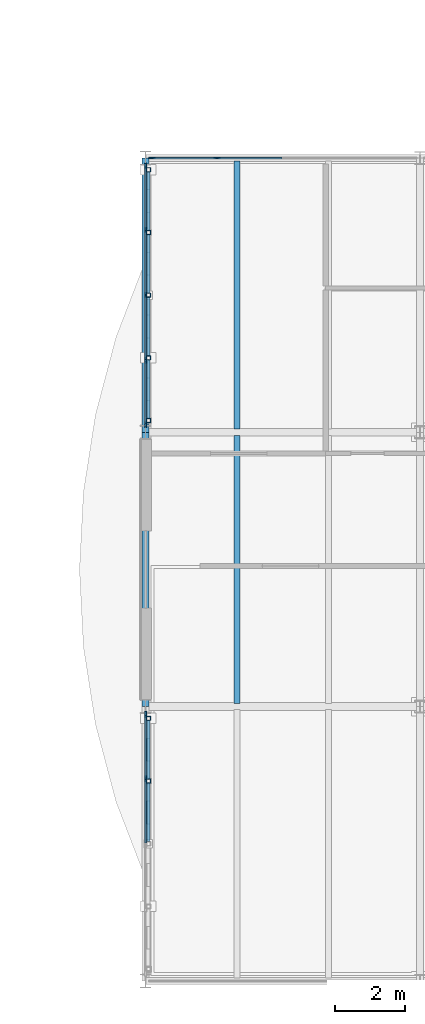
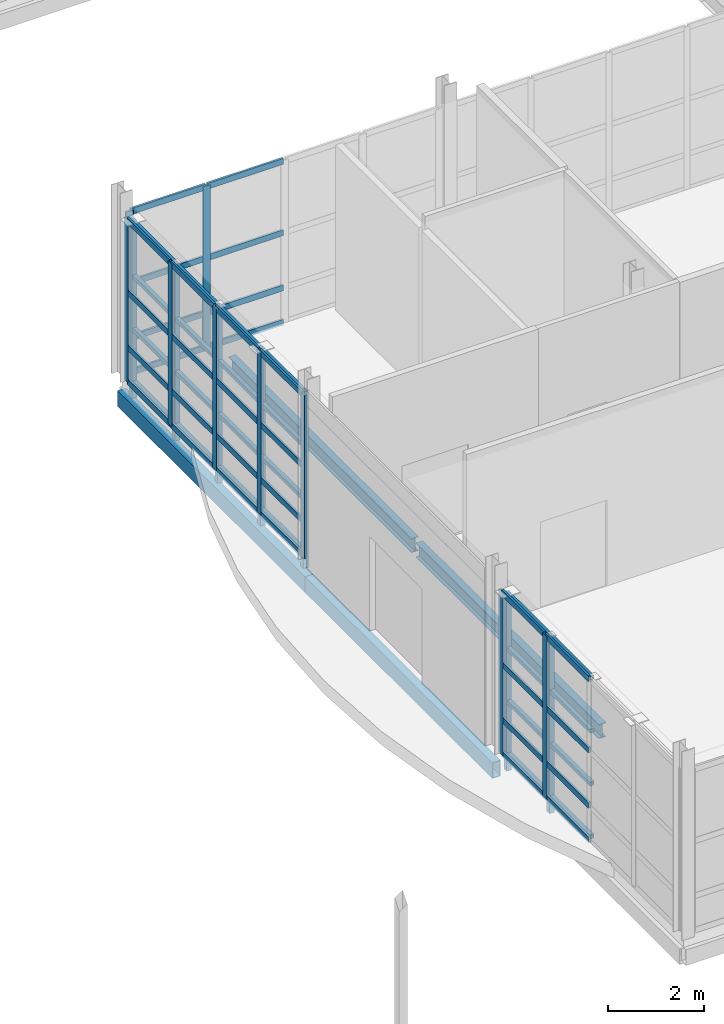
# One storey, part 52 of 131: 72 members, 4 beams, 3 elements without a shape of their own.
"""IFC4 building model written with IfcOpenShell, lengths in metres."""

from ifc_helpers import new_model, si_unit, direction, frame, origin, origin_2d, place, context, subcontext, project, spatial, rectangle, hollow_rectangle, i_section, extrude, material, layer, layer_set, material_profile, profile_set, type_object, element, aggregate, save


model = new_model("IFC4")

# Units and contexts
model_context = context("Model", 3, precision=1e-05, world=origin(), true_north=direction((0.0, 1.0)))
body_context = subcontext(model_context, "Body", "Model", "MODEL_VIEW")
ifc_project = project(units=[si_unit("LENGTHUNIT", "METRE"), si_unit("AREAUNIT", "SQUARE_METRE"), si_unit("VOLUMEUNIT", "CUBIC_METRE"), si_unit("PLANEANGLEUNIT", "RADIAN"), si_unit("MASSUNIT", "GRAM", prefix="KILO")], contexts=[model_context])

# Site, building, storey
site_placement = place(None, origin())
site = spatial("IfcSite", under=ifc_project, at=site_placement, CompositionType="ELEMENT")
building_placement = place(site_placement, origin())
building = spatial("IfcBuilding", under=site, at=building_placement, Name="Celorna Specialist Clinic", CompositionType="ELEMENT")
storey_placement = place(building_placement, origin())
storey = spatial("IfcBuildingStorey", under=building, at=storey_placement, Name="L00", CompositionType="ELEMENT", Elevation=0.0)

# Beams
ifc_material_1 = material(Name="Steel S355", Category="steel")
ifc_material_profile_1 = material_profile(ifc_material_1, i_section(OverallWidth=0.169921875, OverallDepth=0.360107421875, WebThickness=0.008056640625, FlangeThickness=0.0126953125, at=origin_2d()), Name="IPE 360")
ifc_profile_set_1 = profile_set([ifc_material_profile_1], Name="Steel S355")
beam_type_1 = type_object("IfcBeamType", Name="BM-11", PredefinedType="JOIST", material=ifc_profile_set_1)
for number, where, z_axis, x_axis, name in (
    (1, (127.39990234375, 67.887939453125, -0.52001953125), (0.0, 1.0, 0.0), (-1.0, 0.0, 0.0), "Secondary floor joist BM-11 #581"),
    (2, (127.39990234375, 75.68798828125, -0.52001953125), (0.0, 1.0, 0.0), (-1.0, 0.0, 0.0), "Secondary floor joist BM-11 #583"),
):
    element("IfcBeam", number, at=place(storey_placement, frame(where, z_axis=z_axis, x_axis=x_axis)), inside=storey, type_object=beam_type_1, Name=name, PredefinedType="JOIST", context=body_context, shape_type="SweptSolid", body=[
        extrude(i_section(OverallWidth=0.169921875, OverallDepth=0.360107421875, WebThickness=0.008056640625, FlangeThickness=0.0126953125, at=origin_2d()), origin(), (0.0, 0.0, 1.0), 7.6240234375),
    ])
ifc_material_profile_2 = material_profile(ifc_material_1, hollow_rectangle(XDim=0.199951171875, YDim=0.39990234375, WallThickness=0.011962890625, at=origin_2d()), Name="RHS 200x400x12")
ifc_profile_set_2 = profile_set([ifc_material_profile_2], Name="Steel S355")
beam_type_2 = type_object("IfcBeamType", Name="BM-15", PredefinedType="SPANDREL", material=ifc_profile_set_2)
beam_1_placement = place(storey_placement, frame((124.800048828125, 67.800048828125, -0.5400390625), z_axis=(0.0, 1.0, 0.0), x_axis=(-1.0, 0.0, 0.0)))
element("IfcBeam", 3, at=beam_1_placement, inside=storey, type_object=beam_type_2, Name="Spandrel beam BM-15 #559", PredefinedType="SPANDREL", context=body_context, shape_type="SweptSolid", body=[
    extrude(hollow_rectangle(XDim=0.199951171875, YDim=0.39990234375, WallThickness=0.011962890625, at=origin_2d()), origin(), (0.0, 0.0, 1.0), 7.800048828125),
])
beam_2_placement = place(storey_placement, frame((124.800048828125, 75.60009765625, -0.5400390625), z_axis=(0.0, 1.0, 0.0), x_axis=(-1.0, 0.0, 0.0)))
element("IfcBeam", 4, at=beam_2_placement, inside=storey, type_object=beam_type_2, Name="Spandrel beam BM-15 #560", PredefinedType="SPANDREL", context=body_context, shape_type="SweptSolid", body=[
    extrude(hollow_rectangle(XDim=0.199951171875, YDim=0.39990234375, WallThickness=0.011962890625, at=origin_2d()), origin(), (0.0, 0.0, 1.0), 7.7998046875),
])

# Members
ifc_material_profile_3 = material_profile(ifc_material_1, hollow_rectangle(XDim=0.1201171875, YDim=0.1201171875, WallThickness=0.008056640625, at=origin_2d()), Name="SHS 120x120x8")
ifc_profile_set_3 = profile_set([ifc_material_profile_3], Name="Steel S355")
member_type_1 = type_object("IfcMemberType", Name="MB-11", PredefinedType="STUD", material=ifc_profile_set_3)
for number, where, z_axis, x_axis, name in (
    (5, (124.8798828125, 65.6826171875, -0.360107421875), (0.0, 0.0, 1.0), (1.0, 0.0, 0.0), "Perforated screen steel post #1860"),
    (6, (124.8798828125, 67.465087890625, -0.360107421875), (0.0, 0.0, 1.0), (1.0, 0.0, 0.0), "Perforated screen steel post #1861"),
    (7, (124.8798828125, 75.93505859375, -0.360107421875), (0.0, 0.0, 1.0), (1.0, 0.0, 0.0), "Perforated screen steel post #1878"),
    (8, (124.8798828125, 77.717529296875, -0.360107421875), (0.0, 0.0, 1.0), (1.0, 0.0, 0.0), "Perforated screen steel post #1879"),
    (9, (124.8798828125, 79.5, -0.360107421875), (0.0, 0.0, 1.0), (1.0, 0.0, 0.0), "Perforated screen steel post #1880"),
    (10, (124.8798828125, 81.282470703125, -0.360107421875), (0.0, 0.0, 1.0), (1.0, 0.0, 0.0), "Perforated screen steel post #1881"),
    (11, (124.8798828125, 83.06494140625, -0.360107421875), (0.0, 0.0, 1.0), (1.0, 0.0, 0.0), "Perforated screen steel post #1882"),
):
    element("IfcMember", number, at=place(storey_placement, frame(where, z_axis=z_axis, x_axis=x_axis)), inside=storey, type_object=member_type_1, Name=name, PredefinedType="STUD", context=body_context, shape_type="SweptSolid", body=[
        extrude(hollow_rectangle(XDim=0.1201171875, YDim=0.1201171875, WallThickness=0.008056640625, at=origin_2d()), origin(), (0.0, 0.0, 1.0), 4.5),
    ])
ifc_material_profile_4 = material_profile(ifc_material_1, hollow_rectangle(XDim=0.10009765625, YDim=0.10009765625, WallThickness=0.006103515625, at=origin_2d()), Name="SHS 100x100x6")
ifc_profile_set_4 = profile_set([ifc_material_profile_4], Name="Steel S355")
member_type_2 = type_object("IfcMemberType", Name="MB-12", PredefinedType="STUD", material=ifc_profile_set_4)
for number, where, z_axis, x_axis, name in (
    (12, (124.8798828125, 63.9599609375, 0.050048828125), (0.0, 1.0, 0.0), (-1.0, 0.0, 0.0), "Perforated screen rail #1870"),
    (13, (124.8798828125, 63.9599609375, 1.396728515625), (0.0, 1.0, 0.0), (-1.0, 0.0, 0.0), "Perforated screen rail #1871"),
    (14, (124.8798828125, 63.9599609375, 2.743408203125), (0.0, 1.0, 0.0), (-1.0, 0.0, 0.0), "Perforated screen rail #1872"),
    (15, (124.8798828125, 63.9599609375, 4.090087890625), (0.0, 1.0, 0.0), (-1.0, 0.0, 0.0), "Perforated screen rail #1873"),
    (16, (124.8798828125, 65.742431640625, 0.050048828125), (0.0, 1.0, 0.0), (-1.0, 0.0, 0.0), "Perforated screen rail #1874"),
    (17, (124.8798828125, 65.742431640625, 1.396728515625), (0.0, 1.0, 0.0), (-1.0, 0.0, 0.0), "Perforated screen rail #1875"),
    (18, (124.8798828125, 65.742431640625, 2.743408203125), (0.0, 1.0, 0.0), (-1.0, 0.0, 0.0), "Perforated screen rail #1876"),
    (19, (124.8798828125, 65.742431640625, 4.090087890625), (0.0, 1.0, 0.0), (-1.0, 0.0, 0.0), "Perforated screen rail #1877"),
):
    element("IfcMember", number, at=place(storey_placement, frame(where, z_axis=z_axis, x_axis=x_axis)), inside=storey, type_object=member_type_2, Name=name, PredefinedType="STUD", context=body_context, shape_type="SweptSolid", body=[
        extrude(hollow_rectangle(XDim=0.10009765625, YDim=0.10009765625, WallThickness=0.006103515625, at=origin_2d()), origin(), (0.0, 0.0, 1.0), 1.66259765625),
    ])
for number, where, z_axis, x_axis, name in (
    (20, (124.8798828125, 75.9951171875, 0.050048828125), (0.0, 1.0, 0.0), (-1.0, 0.0, 0.0), "Perforated screen rail #1883"),
    (21, (124.8798828125, 75.9951171875, 1.396728515625), (0.0, 1.0, 0.0), (-1.0, 0.0, 0.0), "Perforated screen rail #1884"),
    (22, (124.8798828125, 75.9951171875, 2.743408203125), (0.0, 1.0, 0.0), (-1.0, 0.0, 0.0), "Perforated screen rail #1885"),
    (23, (124.8798828125, 75.9951171875, 4.090087890625), (0.0, 1.0, 0.0), (-1.0, 0.0, 0.0), "Perforated screen rail #1886"),
    (24, (124.8798828125, 77.777587890625, 0.050048828125), (0.0, 1.0, 0.0), (-1.0, 0.0, 0.0), "Perforated screen rail #1887"),
    (25, (124.8798828125, 77.777587890625, 1.396728515625), (0.0, 1.0, 0.0), (-1.0, 0.0, 0.0), "Perforated screen rail #1888"),
    (26, (124.8798828125, 77.777587890625, 2.743408203125), (0.0, 1.0, 0.0), (-1.0, 0.0, 0.0), "Perforated screen rail #1889"),
    (27, (124.8798828125, 77.777587890625, 4.090087890625), (0.0, 1.0, 0.0), (-1.0, 0.0, 0.0), "Perforated screen rail #1890"),
    (28, (124.8798828125, 79.56005859375, 0.050048828125), (0.0, 1.0, 0.0), (-1.0, 0.0, 0.0), "Perforated screen rail #1891"),
    (29, (124.8798828125, 79.56005859375, 1.396728515625), (0.0, 1.0, 0.0), (-1.0, 0.0, 0.0), "Perforated screen rail #1892"),
    (30, (124.8798828125, 79.56005859375, 2.743408203125), (0.0, 1.0, 0.0), (-1.0, 0.0, 0.0), "Perforated screen rail #1893"),
    (31, (124.8798828125, 79.56005859375, 4.090087890625), (0.0, 1.0, 0.0), (-1.0, 0.0, 0.0), "Perforated screen rail #1894"),
    (32, (124.8798828125, 81.342529296875, 0.050048828125), (0.0, 1.0, 0.0), (-1.0, 0.0, 0.0), "Perforated screen rail #1895"),
    (33, (124.8798828125, 81.342529296875, 1.396728515625), (0.0, 1.0, 0.0), (-1.0, 0.0, 0.0), "Perforated screen rail #1896"),
    (34, (124.8798828125, 81.342529296875, 2.743408203125), (0.0, 1.0, 0.0), (-1.0, 0.0, 0.0), "Perforated screen rail #1897"),
    (35, (124.8798828125, 81.342529296875, 4.090087890625), (0.0, 1.0, 0.0), (-1.0, 0.0, 0.0), "Perforated screen rail #1898"),
):
    element("IfcMember", number, at=place(storey_placement, frame(where, z_axis=z_axis, x_axis=x_axis)), inside=storey, type_object=member_type_2, Name=name, PredefinedType="STUD", context=body_context, shape_type="SweptSolid", body=[
        extrude(hollow_rectangle(XDim=0.10009765625, YDim=0.10009765625, WallThickness=0.006103515625, at=origin_2d()), origin(), (0.0, 0.0, 1.0), 1.662353515625),
    ])

# Curtain wall, members
ifc_material_2 = material(Name="Thermally broken aluminium and solar-control glass curtain wall", Category="aluminium")
ifc_layer_1 = layer(ifc_material_2, 0.159912109375, Name="Thermally broken aluminium and solar-control glass curtain wall")
ifc_layer_set_1 = layer_set([ifc_layer_1], Name="Thermally broken aluminium and solar-control glass curtain wall")
curtain_wall_type_1 = type_object("IfcCurtainWallType", Name="CW-39", PredefinedType="NOTDEFINED", material=ifc_layer_set_1)
curtain_wall_1_placement = place(storey_placement, origin())
curtain_wall_1 = element("IfcCurtainWall", 36, at=curtain_wall_1_placement, inside=storey, type_object=curtain_wall_type_1, Name="Curtain wall CW-39 #74", PredefinedType="NOTDEFINED")
ifc_material_3 = material(Name="Anodized aluminium mullion", Category="aluminium")
ifc_material_profile_5 = material_profile(ifc_material_3, rectangle(XDim=0.050048828125, YDim=0.159912109375, at=origin_2d()), Name="ALU MULLION 50x160")
ifc_profile_set_5 = profile_set([ifc_material_profile_5], Name="Anodized aluminium mullion")
member_type_3 = type_object("IfcMemberType", Name="ML-01", PredefinedType="MULLION", material=ifc_profile_set_5)
member_1_placement = place(storey_placement, frame((124.800048828125, 75.823974609375, 0.0), z_axis=(0.0, 0.0, 1.0), x_axis=(-1.0, 0.0, 0.0)))
member_1 = element("IfcMember", 37, at=member_1_placement, type_object=member_type_3, Name="CW-39 mullion 1", PredefinedType="MULLION", context=body_context, shape_type="SweptSolid", body=[
    extrude(rectangle(XDim=0.050048828125, YDim=0.159912109375, at=origin_2d()), origin(), (0.0, 0.0, 1.0), 4.139892578125),
])
member_2_placement = place(storey_placement, frame((124.800048828125, 77.6494140625, 0.0), z_axis=(0.0, 0.0, 1.0), x_axis=(-1.0, 0.0, 0.0)))
member_2 = element("IfcMember", 38, at=member_2_placement, type_object=member_type_3, Name="CW-39 mullion 2", PredefinedType="MULLION", context=body_context, shape_type="SweptSolid", body=[
    extrude(rectangle(XDim=0.050048828125, YDim=0.159912109375, at=origin_2d()), origin(), (0.0, 0.0, 1.0), 4.139892578125),
])
member_3_placement = place(storey_placement, frame((124.800048828125, 79.5, 0.0), z_axis=(0.0, 0.0, 1.0), x_axis=(-1.0, 0.0, 0.0)))
member_3 = element("IfcMember", 39, at=member_3_placement, type_object=member_type_3, Name="CW-39 mullion 3", PredefinedType="MULLION", context=body_context, shape_type="SweptSolid", body=[
    extrude(rectangle(XDim=0.050048828125, YDim=0.159912109375, at=origin_2d()), origin(), (0.0, 0.0, 1.0), 4.139892578125),
])
member_4_placement = place(storey_placement, frame((124.800048828125, 81.3505859375, 0.0), z_axis=(0.0, 0.0, 1.0), x_axis=(-1.0, 0.0, 0.0)))
member_4 = element("IfcMember", 40, at=member_4_placement, type_object=member_type_3, Name="CW-39 mullion 4", PredefinedType="MULLION", context=body_context, shape_type="SweptSolid", body=[
    extrude(rectangle(XDim=0.050048828125, YDim=0.159912109375, at=origin_2d()), origin(), (0.0, 0.0, 1.0), 4.139892578125),
])
member_5_placement = place(storey_placement, frame((124.800048828125, 83.176025390625, 0.0), z_axis=(0.0, 0.0, 1.0), x_axis=(-1.0, 0.0, 0.0)))
member_5 = element("IfcMember", 41, at=member_5_placement, type_object=member_type_3, Name="CW-39 mullion 5", PredefinedType="MULLION", context=body_context, shape_type="SweptSolid", body=[
    extrude(rectangle(XDim=0.050048828125, YDim=0.159912109375, at=origin_2d()), origin(), (0.0, 0.0, 1.0), 4.139892578125),
])

ifc_layer_2 = layer(ifc_material_2, 0.159912109375, Name="Thermally broken aluminium and solar-control glass curtain wall")
ifc_layer_set_2 = layer_set([ifc_layer_2], Name="Thermally broken aluminium and solar-control glass curtain wall")
curtain_wall_type_2 = type_object("IfcCurtainWallType", Name="CW-34", PredefinedType="NOTDEFINED", material=ifc_layer_set_2)
curtain_wall_2_placement = place(storey_placement, origin())
curtain_wall_2 = element("IfcCurtainWall", 42, at=curtain_wall_2_placement, inside=storey, type_object=curtain_wall_type_2, Name="Curtain wall CW-34 #69", PredefinedType="NOTDEFINED")
ifc_material_profile_6 = material_profile(ifc_material_3, rectangle(XDim=0.050048828125, YDim=0.179931640625, at=origin_2d()), Name="ALU MULLION 50x180")
ifc_profile_set_6 = profile_set([ifc_material_profile_6], Name="Anodized aluminium mullion")
member_type_4 = type_object("IfcMemberType", Name="ML-02", PredefinedType="MULLION", material=ifc_profile_set_6)
member_6_placement = place(storey_placement, frame((124.97900390625, 83.39990234375, 0.0), z_axis=(0.0, 0.0, 1.0), x_axis=(0.0, 1.0, 0.0)))
member_6 = element("IfcMember", 43, at=member_6_placement, type_object=member_type_4, Name="CW-34 mullion 1", PredefinedType="MULLION", context=body_context, shape_type="SweptSolid", body=[
    extrude(rectangle(XDim=0.050048828125, YDim=0.179931640625, at=origin_2d()), origin(), (0.0, 0.0, 1.0), 4.139892578125),
])
member_7_placement = place(storey_placement, frame((126.826904296875, 83.39990234375, 0.0), z_axis=(0.0, 0.0, 1.0), x_axis=(0.0, 1.0, 0.0)))
member_7 = element("IfcMember", 44, at=member_7_placement, type_object=member_type_4, Name="CW-34 mullion 2", PredefinedType="MULLION", context=body_context, shape_type="SweptSolid", body=[
    extrude(rectangle(XDim=0.050048828125, YDim=0.179931640625, at=origin_2d()), origin(), (0.0, 0.0, 1.0), 4.139892578125),
])

ifc_layer_3 = layer(ifc_material_2, 0.159912109375, Name="Thermally broken aluminium and solar-control glass curtain wall")
ifc_layer_set_3 = layer_set([ifc_layer_3], Name="Thermally broken aluminium and solar-control glass curtain wall")
curtain_wall_type_3 = type_object("IfcCurtainWallType", Name="CW-38", PredefinedType="NOTDEFINED", material=ifc_layer_set_3)
curtain_wall_3_placement = place(storey_placement, origin())
curtain_wall_3 = element("IfcCurtainWall", 45, at=curtain_wall_3_placement, inside=storey, type_object=curtain_wall_type_3, Name="Curtain wall CW-38 #73", PredefinedType="NOTDEFINED")
member_8_placement = place(storey_placement, frame((124.800048828125, 65.75048828125, 0.0), z_axis=(0.0, 0.0, 1.0), x_axis=(-1.0, 0.0, 0.0)))
member_8 = element("IfcMember", 46, at=member_8_placement, type_object=member_type_4, Name="CW-38 mullion 4", PredefinedType="MULLION", context=body_context, shape_type="SweptSolid", body=[
    extrude(rectangle(XDim=0.050048828125, YDim=0.179931640625, at=origin_2d()), origin(), (0.0, 0.0, 1.0), 4.139892578125),
])
member_9_placement = place(storey_placement, frame((124.800048828125, 67.575927734375, 0.0), z_axis=(0.0, 0.0, 1.0), x_axis=(-1.0, 0.0, 0.0)))
member_9 = element("IfcMember", 47, at=member_9_placement, type_object=member_type_4, Name="CW-38 mullion 5", PredefinedType="MULLION", context=body_context, shape_type="SweptSolid", body=[
    extrude(rectangle(XDim=0.050048828125, YDim=0.179931640625, at=origin_2d()), origin(), (0.0, 0.0, 1.0), 4.139892578125),
])

# Member
ifc_material_4 = material(Name="Anodized aluminium transom", Category="aluminium")
ifc_material_profile_7 = material_profile(ifc_material_4, rectangle(XDim=0.050048828125, YDim=0.14990234375, at=origin_2d()), Name="ALU TRANSOM 50x150")
ifc_profile_set_7 = profile_set([ifc_material_profile_7], Name="Anodized aluminium transom")
member_type_5 = type_object("IfcMemberType", Name="TR-02", PredefinedType="USERDEFINED", material=ifc_profile_set_7)
member_10_placement = place(storey_placement, frame((125.00390625, 83.39990234375, 0.02490234375), z_axis=(1.0, 0.0, 0.0), x_axis=(0.0, 1.0, 0.0)))
member_10 = element("IfcMember", 48, at=member_10_placement, type_object=member_type_5, Name="CW-34 transom 1.1", ObjectType="TRANSOM", PredefinedType="USERDEFINED", context=body_context, shape_type="SweptSolid", body=[
    extrude(rectangle(XDim=0.050048828125, YDim=0.14990234375, at=origin_2d()), origin(), (0.0, 0.0, 1.0), 1.798095703125),
])

member_11_placement = place(storey_placement, frame((125.00390625, 83.39990234375, 0.89990234375), z_axis=(1.0, 0.0, 0.0), x_axis=(0.0, 1.0, 0.0)))
member_11 = element("IfcMember", 49, at=member_11_placement, type_object=member_type_5, Name="CW-34 transom 1.2", ObjectType="TRANSOM", PredefinedType="USERDEFINED", context=body_context, shape_type="SweptSolid", body=[
    extrude(rectangle(XDim=0.050048828125, YDim=0.14990234375, at=origin_2d()), origin(), (0.0, 0.0, 1.0), 1.798095703125),
])

member_12_placement = place(storey_placement, frame((125.00390625, 83.39990234375, 2.300048828125), z_axis=(1.0, 0.0, 0.0), x_axis=(0.0, 1.0, 0.0)))
member_12 = element("IfcMember", 50, at=member_12_placement, type_object=member_type_5, Name="CW-34 transom 1.3", ObjectType="TRANSOM", PredefinedType="USERDEFINED", context=body_context, shape_type="SweptSolid", body=[
    extrude(rectangle(XDim=0.050048828125, YDim=0.14990234375, at=origin_2d()), origin(), (0.0, 0.0, 1.0), 1.798095703125),
])

member_13_placement = place(storey_placement, frame((125.00390625, 83.39990234375, 4.114990234375), z_axis=(1.0, 0.0, 0.0), x_axis=(0.0, 1.0, 0.0)))
member_13 = element("IfcMember", 51, at=member_13_placement, type_object=member_type_5, Name="CW-34 transom 1.4", ObjectType="TRANSOM", PredefinedType="USERDEFINED", context=body_context, shape_type="SweptSolid", body=[
    extrude(rectangle(XDim=0.050048828125, YDim=0.14990234375, at=origin_2d()), origin(), (0.0, 0.0, 1.0), 1.798095703125),
])

member_14_placement = place(storey_placement, frame((126.85205078125, 83.39990234375, 0.02490234375), z_axis=(1.0, 0.0, 0.0), x_axis=(0.0, 1.0, 0.0)))
member_14 = element("IfcMember", 52, at=member_14_placement, type_object=member_type_5, Name="CW-34 transom 2.1", ObjectType="TRANSOM", PredefinedType="USERDEFINED", context=body_context, shape_type="SweptSolid", body=[
    extrude(rectangle(XDim=0.050048828125, YDim=0.14990234375, at=origin_2d()), origin(), (0.0, 0.0, 1.0), 1.822998046875),
])

member_15_placement = place(storey_placement, frame((126.85205078125, 83.39990234375, 0.89990234375), z_axis=(1.0, 0.0, 0.0), x_axis=(0.0, 1.0, 0.0)))
member_15 = element("IfcMember", 53, at=member_15_placement, type_object=member_type_5, Name="CW-34 transom 2.2", ObjectType="TRANSOM", PredefinedType="USERDEFINED", context=body_context, shape_type="SweptSolid", body=[
    extrude(rectangle(XDim=0.050048828125, YDim=0.14990234375, at=origin_2d()), origin(), (0.0, 0.0, 1.0), 1.822998046875),
])

member_16_placement = place(storey_placement, frame((126.85205078125, 83.39990234375, 2.300048828125), z_axis=(1.0, 0.0, 0.0), x_axis=(0.0, 1.0, 0.0)))
member_16 = element("IfcMember", 54, at=member_16_placement, type_object=member_type_5, Name="CW-34 transom 2.3", ObjectType="TRANSOM", PredefinedType="USERDEFINED", context=body_context, shape_type="SweptSolid", body=[
    extrude(rectangle(XDim=0.050048828125, YDim=0.14990234375, at=origin_2d()), origin(), (0.0, 0.0, 1.0), 1.822998046875),
])

member_17_placement = place(storey_placement, frame((126.85205078125, 83.39990234375, 4.114990234375), z_axis=(1.0, 0.0, 0.0), x_axis=(0.0, 1.0, 0.0)))
member_17 = element("IfcMember", 55, at=member_17_placement, type_object=member_type_5, Name="CW-34 transom 2.4", ObjectType="TRANSOM", PredefinedType="USERDEFINED", context=body_context, shape_type="SweptSolid", body=[
    extrude(rectangle(XDim=0.050048828125, YDim=0.14990234375, at=origin_2d()), origin(), (0.0, 0.0, 1.0), 1.822998046875),
])

aggregate(curtain_wall_2, [member_6, member_7, member_10, member_11, member_12, member_13, member_14, member_15, member_16, member_17])

member_18_placement = place(storey_placement, frame((124.800048828125, 63.925048828125, 0.02490234375), z_axis=(0.0, 1.0, 0.0), x_axis=(-1.0, 0.0, 0.0)))
member_18 = element("IfcMember", 56, at=member_18_placement, type_object=member_type_5, Name="CW-38 transom 3.1", ObjectType="TRANSOM", PredefinedType="USERDEFINED", context=body_context, shape_type="SweptSolid", body=[
    extrude(rectangle(XDim=0.050048828125, YDim=0.14990234375, at=origin_2d()), origin(), (0.0, 0.0, 1.0), 1.800537109375),
])

member_19_placement = place(storey_placement, frame((124.800048828125, 63.925048828125, 0.89990234375), z_axis=(0.0, 1.0, 0.0), x_axis=(-1.0, 0.0, 0.0)))
member_19 = element("IfcMember", 57, at=member_19_placement, type_object=member_type_5, Name="CW-38 transom 3.2", ObjectType="TRANSOM", PredefinedType="USERDEFINED", context=body_context, shape_type="SweptSolid", body=[
    extrude(rectangle(XDim=0.050048828125, YDim=0.14990234375, at=origin_2d()), origin(), (0.0, 0.0, 1.0), 1.800537109375),
])

member_20_placement = place(storey_placement, frame((124.800048828125, 63.925048828125, 2.300048828125), z_axis=(0.0, 1.0, 0.0), x_axis=(-1.0, 0.0, 0.0)))
member_20 = element("IfcMember", 58, at=member_20_placement, type_object=member_type_5, Name="CW-38 transom 3.3", ObjectType="TRANSOM", PredefinedType="USERDEFINED", context=body_context, shape_type="SweptSolid", body=[
    extrude(rectangle(XDim=0.050048828125, YDim=0.14990234375, at=origin_2d()), origin(), (0.0, 0.0, 1.0), 1.800537109375),
])

member_21_placement = place(storey_placement, frame((124.800048828125, 63.925048828125, 4.114990234375), z_axis=(0.0, 1.0, 0.0), x_axis=(-1.0, 0.0, 0.0)))
member_21 = element("IfcMember", 59, at=member_21_placement, type_object=member_type_5, Name="CW-38 transom 3.4", ObjectType="TRANSOM", PredefinedType="USERDEFINED", context=body_context, shape_type="SweptSolid", body=[
    extrude(rectangle(XDim=0.050048828125, YDim=0.14990234375, at=origin_2d()), origin(), (0.0, 0.0, 1.0), 1.800537109375),
])

member_22_placement = place(storey_placement, frame((124.800048828125, 65.775390625, 0.02490234375), z_axis=(0.0, 1.0, 0.0), x_axis=(-1.0, 0.0, 0.0)))
member_22 = element("IfcMember", 60, at=member_22_placement, type_object=member_type_5, Name="CW-38 transom 4.1", ObjectType="TRANSOM", PredefinedType="USERDEFINED", context=body_context, shape_type="SweptSolid", body=[
    extrude(rectangle(XDim=0.050048828125, YDim=0.14990234375, at=origin_2d()), origin(), (0.0, 0.0, 1.0), 1.775634765625),
])

member_23_placement = place(storey_placement, frame((124.800048828125, 65.775390625, 0.89990234375), z_axis=(0.0, 1.0, 0.0), x_axis=(-1.0, 0.0, 0.0)))
member_23 = element("IfcMember", 61, at=member_23_placement, type_object=member_type_5, Name="CW-38 transom 4.2", ObjectType="TRANSOM", PredefinedType="USERDEFINED", context=body_context, shape_type="SweptSolid", body=[
    extrude(rectangle(XDim=0.050048828125, YDim=0.14990234375, at=origin_2d()), origin(), (0.0, 0.0, 1.0), 1.775634765625),
])

member_24_placement = place(storey_placement, frame((124.800048828125, 65.775390625, 2.300048828125), z_axis=(0.0, 1.0, 0.0), x_axis=(-1.0, 0.0, 0.0)))
member_24 = element("IfcMember", 62, at=member_24_placement, type_object=member_type_5, Name="CW-38 transom 4.3", ObjectType="TRANSOM", PredefinedType="USERDEFINED", context=body_context, shape_type="SweptSolid", body=[
    extrude(rectangle(XDim=0.050048828125, YDim=0.14990234375, at=origin_2d()), origin(), (0.0, 0.0, 1.0), 1.775634765625),
])

member_25_placement = place(storey_placement, frame((124.800048828125, 65.775390625, 4.114990234375), z_axis=(0.0, 1.0, 0.0), x_axis=(-1.0, 0.0, 0.0)))
member_25 = element("IfcMember", 63, at=member_25_placement, type_object=member_type_5, Name="CW-38 transom 4.4", ObjectType="TRANSOM", PredefinedType="USERDEFINED", context=body_context, shape_type="SweptSolid", body=[
    extrude(rectangle(XDim=0.050048828125, YDim=0.14990234375, at=origin_2d()), origin(), (0.0, 0.0, 1.0), 1.775634765625),
])

aggregate(curtain_wall_3, [member_8, member_9, member_18, member_19, member_20, member_21, member_22, member_23, member_24, member_25])

member_26_placement = place(storey_placement, frame((124.800048828125, 75.84912109375, 0.02490234375), z_axis=(0.0, 1.0, 0.0), x_axis=(-1.0, 0.0, 0.0)))
member_26 = element("IfcMember", 64, at=member_26_placement, type_object=member_type_5, Name="CW-39 transom 1.1", ObjectType="TRANSOM", PredefinedType="USERDEFINED", context=body_context, shape_type="SweptSolid", body=[
    extrude(rectangle(XDim=0.050048828125, YDim=0.14990234375, at=origin_2d()), origin(), (0.0, 0.0, 1.0), 1.775390625),
])

member_27_placement = place(storey_placement, frame((124.800048828125, 75.84912109375, 0.89990234375), z_axis=(0.0, 1.0, 0.0), x_axis=(-1.0, 0.0, 0.0)))
member_27 = element("IfcMember", 65, at=member_27_placement, type_object=member_type_5, Name="CW-39 transom 1.2", ObjectType="TRANSOM", PredefinedType="USERDEFINED", context=body_context, shape_type="SweptSolid", body=[
    extrude(rectangle(XDim=0.050048828125, YDim=0.14990234375, at=origin_2d()), origin(), (0.0, 0.0, 1.0), 1.775390625),
])

member_28_placement = place(storey_placement, frame((124.800048828125, 75.84912109375, 2.300048828125), z_axis=(0.0, 1.0, 0.0), x_axis=(-1.0, 0.0, 0.0)))
member_28 = element("IfcMember", 66, at=member_28_placement, type_object=member_type_5, Name="CW-39 transom 1.3", ObjectType="TRANSOM", PredefinedType="USERDEFINED", context=body_context, shape_type="SweptSolid", body=[
    extrude(rectangle(XDim=0.050048828125, YDim=0.14990234375, at=origin_2d()), origin(), (0.0, 0.0, 1.0), 1.775390625),
])

member_29_placement = place(storey_placement, frame((124.800048828125, 75.84912109375, 4.114990234375), z_axis=(0.0, 1.0, 0.0), x_axis=(-1.0, 0.0, 0.0)))
member_29 = element("IfcMember", 67, at=member_29_placement, type_object=member_type_5, Name="CW-39 transom 1.4", ObjectType="TRANSOM", PredefinedType="USERDEFINED", context=body_context, shape_type="SweptSolid", body=[
    extrude(rectangle(XDim=0.050048828125, YDim=0.14990234375, at=origin_2d()), origin(), (0.0, 0.0, 1.0), 1.775390625),
])

member_30_placement = place(storey_placement, frame((124.800048828125, 77.674560546875, 0.02490234375), z_axis=(0.0, 1.0, 0.0), x_axis=(-1.0, 0.0, 0.0)))
member_30 = element("IfcMember", 68, at=member_30_placement, type_object=member_type_5, Name="CW-39 transom 2.1", ObjectType="TRANSOM", PredefinedType="USERDEFINED", context=body_context, shape_type="SweptSolid", body=[
    extrude(rectangle(XDim=0.050048828125, YDim=0.14990234375, at=origin_2d()), origin(), (0.0, 0.0, 1.0), 1.800537109375),
])

member_31_placement = place(storey_placement, frame((124.800048828125, 77.674560546875, 0.89990234375), z_axis=(0.0, 1.0, 0.0), x_axis=(-1.0, 0.0, 0.0)))
member_31 = element("IfcMember", 69, at=member_31_placement, type_object=member_type_5, Name="CW-39 transom 2.2", ObjectType="TRANSOM", PredefinedType="USERDEFINED", context=body_context, shape_type="SweptSolid", body=[
    extrude(rectangle(XDim=0.050048828125, YDim=0.14990234375, at=origin_2d()), origin(), (0.0, 0.0, 1.0), 1.800537109375),
])

member_32_placement = place(storey_placement, frame((124.800048828125, 77.674560546875, 2.300048828125), z_axis=(0.0, 1.0, 0.0), x_axis=(-1.0, 0.0, 0.0)))
member_32 = element("IfcMember", 70, at=member_32_placement, type_object=member_type_5, Name="CW-39 transom 2.3", ObjectType="TRANSOM", PredefinedType="USERDEFINED", context=body_context, shape_type="SweptSolid", body=[
    extrude(rectangle(XDim=0.050048828125, YDim=0.14990234375, at=origin_2d()), origin(), (0.0, 0.0, 1.0), 1.800537109375),
])

member_33_placement = place(storey_placement, frame((124.800048828125, 77.674560546875, 4.114990234375), z_axis=(0.0, 1.0, 0.0), x_axis=(-1.0, 0.0, 0.0)))
member_33 = element("IfcMember", 71, at=member_33_placement, type_object=member_type_5, Name="CW-39 transom 2.4", ObjectType="TRANSOM", PredefinedType="USERDEFINED", context=body_context, shape_type="SweptSolid", body=[
    extrude(rectangle(XDim=0.050048828125, YDim=0.14990234375, at=origin_2d()), origin(), (0.0, 0.0, 1.0), 1.800537109375),
])

member_34_placement = place(storey_placement, frame((124.800048828125, 79.52490234375, 0.02490234375), z_axis=(0.0, 1.0, 0.0), x_axis=(-1.0, 0.0, 0.0)))
member_34 = element("IfcMember", 72, at=member_34_placement, type_object=member_type_5, Name="CW-39 transom 3.1", ObjectType="TRANSOM", PredefinedType="USERDEFINED", context=body_context, shape_type="SweptSolid", body=[
    extrude(rectangle(XDim=0.050048828125, YDim=0.14990234375, at=origin_2d()), origin(), (0.0, 0.0, 1.0), 1.800537109375),
])

member_35_placement = place(storey_placement, frame((124.800048828125, 79.52490234375, 0.89990234375), z_axis=(0.0, 1.0, 0.0), x_axis=(-1.0, 0.0, 0.0)))
member_35 = element("IfcMember", 73, at=member_35_placement, type_object=member_type_5, Name="CW-39 transom 3.2", ObjectType="TRANSOM", PredefinedType="USERDEFINED", context=body_context, shape_type="SweptSolid", body=[
    extrude(rectangle(XDim=0.050048828125, YDim=0.14990234375, at=origin_2d()), origin(), (0.0, 0.0, 1.0), 1.800537109375),
])

member_36_placement = place(storey_placement, frame((124.800048828125, 79.52490234375, 2.300048828125), z_axis=(0.0, 1.0, 0.0), x_axis=(-1.0, 0.0, 0.0)))
member_36 = element("IfcMember", 74, at=member_36_placement, type_object=member_type_5, Name="CW-39 transom 3.3", ObjectType="TRANSOM", PredefinedType="USERDEFINED", context=body_context, shape_type="SweptSolid", body=[
    extrude(rectangle(XDim=0.050048828125, YDim=0.14990234375, at=origin_2d()), origin(), (0.0, 0.0, 1.0), 1.800537109375),
])

member_37_placement = place(storey_placement, frame((124.800048828125, 79.52490234375, 4.114990234375), z_axis=(0.0, 1.0, 0.0), x_axis=(-1.0, 0.0, 0.0)))
member_37 = element("IfcMember", 75, at=member_37_placement, type_object=member_type_5, Name="CW-39 transom 3.4", ObjectType="TRANSOM", PredefinedType="USERDEFINED", context=body_context, shape_type="SweptSolid", body=[
    extrude(rectangle(XDim=0.050048828125, YDim=0.14990234375, at=origin_2d()), origin(), (0.0, 0.0, 1.0), 1.800537109375),
])

member_38_placement = place(storey_placement, frame((124.800048828125, 81.37548828125, 0.02490234375), z_axis=(0.0, 1.0, 0.0), x_axis=(-1.0, 0.0, 0.0)))
member_38 = element("IfcMember", 76, at=member_38_placement, type_object=member_type_5, Name="CW-39 transom 4.1", ObjectType="TRANSOM", PredefinedType="USERDEFINED", context=body_context, shape_type="SweptSolid", body=[
    extrude(rectangle(XDim=0.050048828125, YDim=0.14990234375, at=origin_2d()), origin(), (0.0, 0.0, 1.0), 1.775390625),
])

member_39_placement = place(storey_placement, frame((124.800048828125, 81.37548828125, 0.89990234375), z_axis=(0.0, 1.0, 0.0), x_axis=(-1.0, 0.0, 0.0)))
member_39 = element("IfcMember", 77, at=member_39_placement, type_object=member_type_5, Name="CW-39 transom 4.2", ObjectType="TRANSOM", PredefinedType="USERDEFINED", context=body_context, shape_type="SweptSolid", body=[
    extrude(rectangle(XDim=0.050048828125, YDim=0.14990234375, at=origin_2d()), origin(), (0.0, 0.0, 1.0), 1.775390625),
])

member_40_placement = place(storey_placement, frame((124.800048828125, 81.37548828125, 2.300048828125), z_axis=(0.0, 1.0, 0.0), x_axis=(-1.0, 0.0, 0.0)))
member_40 = element("IfcMember", 78, at=member_40_placement, type_object=member_type_5, Name="CW-39 transom 4.3", ObjectType="TRANSOM", PredefinedType="USERDEFINED", context=body_context, shape_type="SweptSolid", body=[
    extrude(rectangle(XDim=0.050048828125, YDim=0.14990234375, at=origin_2d()), origin(), (0.0, 0.0, 1.0), 1.775390625),
])

member_41_placement = place(storey_placement, frame((124.800048828125, 81.37548828125, 4.114990234375), z_axis=(0.0, 1.0, 0.0), x_axis=(-1.0, 0.0, 0.0)))
member_41 = element("IfcMember", 79, at=member_41_placement, type_object=member_type_5, Name="CW-39 transom 4.4", ObjectType="TRANSOM", PredefinedType="USERDEFINED", context=body_context, shape_type="SweptSolid", body=[
    extrude(rectangle(XDim=0.050048828125, YDim=0.14990234375, at=origin_2d()), origin(), (0.0, 0.0, 1.0), 1.775390625),
])

aggregate(curtain_wall_1, [member_1, member_2, member_3, member_4, member_5, member_26, member_27, member_28, member_29, member_30, member_31, member_32, member_33, member_34, member_35, member_36, member_37, member_38, member_39, member_40, member_41])

save(model, "model.ifc")
